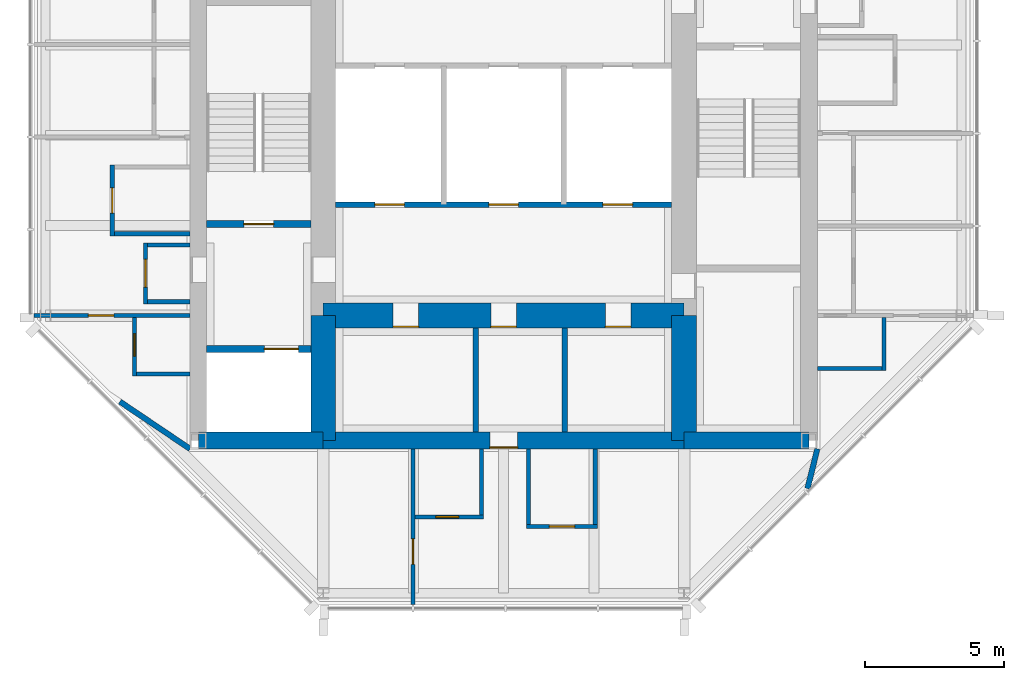
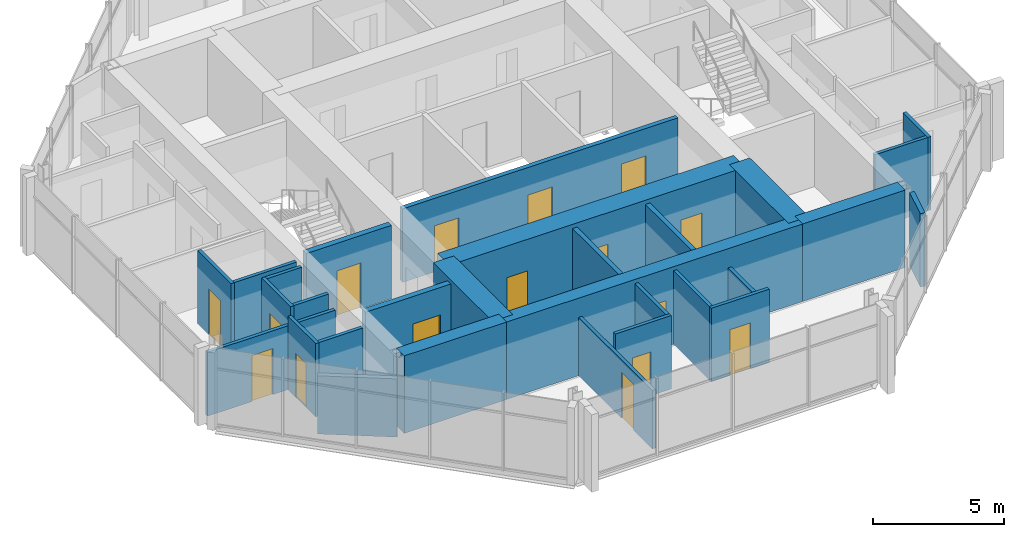
# One storey, part 5 of 9: 29 walls, 16 doors, 16 openings.
"""IFC4 building model written with IfcOpenShell, lengths in metres."""

from ifc_helpers import new_model, si_unit, direction, frame, frame_2d, origin, place, context, subcontext, project, spatial, rectangle, extrude, material, layer, layer_set, type_object, element, fill, save


model = new_model("IFC4")

# Units and contexts
model_context = context("Model", 3, precision=1e-05, world=origin(), true_north=direction((0.0, 1.0)))
body_context = subcontext(model_context, "Body", "Model", "MODEL_VIEW")
ifc_project = project(units=[si_unit("LENGTHUNIT", "METRE"), si_unit("AREAUNIT", "SQUARE_METRE"), si_unit("VOLUMEUNIT", "CUBIC_METRE"), si_unit("PLANEANGLEUNIT", "RADIAN"), si_unit("MASSUNIT", "GRAM", prefix="KILO")], contexts=[model_context])

# Site, building, storey
site_placement = place(None, origin())
site = spatial("IfcSite", under=ifc_project, at=site_placement, CompositionType="ELEMENT")
building_placement = place(site_placement, origin())
building = spatial("IfcBuilding", under=site, at=building_placement, Name="Trevanion Tower", CompositionType="ELEMENT")
storey_placement = place(building_placement, frame((0.0, 0.0, 288.39990234375)))
storey = spatial("IfcBuildingStorey", under=building, at=storey_placement, Name="L71", CompositionType="ELEMENT", Elevation=288.39990234375)

# Wall
ifc_material_1 = material(Name="Concrete 10,000 psi", Category="concrete")
ifc_layer_1 = layer(ifc_material_1, 0.60009765625)
ifc_layer_set_1 = layer_set([ifc_layer_1], Name="CW1 core wall 600")
wall_type_1 = type_object("IfcWallType", Name="CW1 core wall 600", PredefinedType="SHEAR", material=ifc_layer_set_1)
wall_1_placement = place(storey_placement, frame((-11.0, -11.0, 0.0), z_axis=(0.0, 0.0, 1.0), x_axis=(1.0, 0.0, 0.0)))
element("IfcWall", 1, at=wall_1_placement, inside=storey, type_object=wall_type_1, Name="CW1 CS1 L71", PredefinedType="SHEAR", context=body_context, shape_type="SweptSolid", body=[
    extrude(rectangle(XDim=4.5, YDim=0.60009765625, at=frame_2d((2.25, 0.0))), origin(), (0.0, 0.0, 1.0), 3.60009765625),
])

# Wall, opening, door
wall_2_placement = place(storey_placement, frame((-6.5, -11.0, 0.0), z_axis=(0.0, 0.0, 1.0), x_axis=(1.0, 0.0, 0.0)))
wall_2 = element("IfcWall", 2, at=wall_2_placement, inside=storey, type_object=wall_type_1, Name="CW1 CS2 L71", PredefinedType="SHEAR", context=body_context, shape_type="SweptSolid", body=[
    extrude(rectangle(XDim=13.0, YDim=0.60009765625, at=frame_2d((6.5, 0.0))), origin(), (0.0, 0.0, 1.0), 3.60009765625),
])
opening_1_placement = place(wall_2_placement, frame((6.0, 0.0, 0.0)))
opening_1 = element("IfcOpeningElement", 3, at=opening_1_placement, cuts=wall_2, Name="Opening 71-022", PredefinedType="OPENING", context=body_context, shape_type="SweptSolid", body=[
    extrude(rectangle(XDim=1.0, YDim=2.134033203125, at=frame_2d((0.5, 1.06689453125))), frame((0.0, 0.31005859375, 0.0), z_axis=(0.0, -1.0, 0.0), x_axis=(1.0, 0.0, 0.0)), (0.0, 0.0, 1.0), 0.6201171875),
])
ifc_material_2 = material(Name="Timber veneer on steel frame, fire rated", Category="steel")
door_type_1 = type_object("IfcDoorType", Name="D13 residence entrance door", OperationType="SINGLE_SWING_RIGHT", PredefinedType="DOOR", material=ifc_material_2)
door_1_placement = place(opening_1_placement, origin())
door_1 = element("IfcDoor", 4, at=door_1_placement, inside=storey, type_object=door_type_1, Name="Door 71-022", OperationType="SINGLE_SWING_RIGHT", OverallHeight=2.134033203125, OverallWidth=1.0, PredefinedType="DOOR", context=body_context, shape_type="SweptSolid", body=[
    extrude(rectangle(XDim=1.0, YDim=2.134033203125, at=frame_2d((0.5, 1.06689453125))), frame((0.0, -0.22509765625, 0.0), z_axis=(0.0, -1.0, 0.0), x_axis=(1.0, 0.0, 0.0)), (0.0, 0.0, 1.0), 0.050048828125),
])
fill(opening_1, door_1)

# Walls
wall_3_placement = place(storey_placement, frame((6.5, -11.0, 0.0), z_axis=(0.0, 0.0, 1.0), x_axis=(1.0, 0.0, 0.0)))
element("IfcWall", 5, at=wall_3_placement, inside=storey, type_object=wall_type_1, Name="CW1 CS3 L71", PredefinedType="SHEAR", context=body_context, shape_type="SweptSolid", body=[
    extrude(rectangle(XDim=4.5, YDim=0.60009765625, at=frame_2d((2.25, 0.0))), origin(), (0.0, 0.0, 1.0), 3.60009765625),
])
ifc_material_3 = material(Name="Concrete 10,000 psi", Category="concrete")
ifc_layer_2 = layer(ifc_material_3, 0.89990234375)
ifc_layer_set_2 = layer_set([ifc_layer_2], Name="CW2 core wall 900")
wall_type_2 = type_object("IfcWallType", Name="CW2 core wall 900", PredefinedType="SHEAR", material=ifc_layer_set_2)
for number, where, z_axis, x_axis, name in (
    (6, (6.5, -11.0, 0.0), (0.0, 0.0, 1.0), (0.0, 1.0, 0.0), "CW2 RE1 L71"),
    (7, (-6.5, -6.5, 0.0), (0.0, 0.0, 1.0), (0.0, -1.0, 0.0), "CW2 RW3 L71"),
):
    element("IfcWall", number, at=place(storey_placement, frame(where, z_axis=z_axis, x_axis=x_axis)), inside=storey, type_object=wall_type_2, Name=name, PredefinedType="SHEAR", context=body_context, shape_type="SweptSolid", body=[
        extrude(rectangle(XDim=4.5, YDim=0.89990234375, at=frame_2d((2.25, 0.0))), origin(), (0.0, 0.0, 1.0), 3.60009765625),
    ])

# Wall, openings, doors
wall_4_placement = place(storey_placement, frame((-6.5, -6.5, 0.0), z_axis=(0.0, 0.0, 1.0), x_axis=(1.0, 0.0, 0.0)))
wall_4 = element("IfcWall", 8, at=wall_4_placement, inside=storey, type_object=wall_type_2, Name="CW2 RS L71", PredefinedType="SHEAR", context=body_context, shape_type="SweptSolid", body=[
    extrude(rectangle(XDim=13.0, YDim=0.89990234375, at=frame_2d((6.5, 0.0))), origin(), (0.0, 0.0, 1.0), 3.60009765625),
])
opening_2_placement = place(wall_4_placement, frame((6.04248046875, 0.0, 0.0)))
opening_2 = element("IfcOpeningElement", 9, at=opening_2_placement, cuts=wall_4, Name="Opening 71-021", PredefinedType="OPENING", context=body_context, shape_type="SweptSolid", body=[
    extrude(rectangle(XDim=0.9150390625, YDim=2.134033203125, at=frame_2d((0.45751953125, 1.06689453125))), frame((0.0, 0.4599609375, 0.0), z_axis=(0.0, -1.0, 0.0), x_axis=(1.0, 0.0, 0.0)), (0.0, 0.0, 1.0), 0.919921875),
])
opening_3_placement = place(wall_4_placement, frame((2.517578125, 0.0, 0.0)))
opening_3 = element("IfcOpeningElement", 10, at=opening_3_placement, cuts=wall_4, Name="Opening 71-023", PredefinedType="OPENING", context=body_context, shape_type="SweptSolid", body=[
    extrude(rectangle(XDim=0.9150390625, YDim=2.134033203125, at=frame_2d((0.45751953125, 1.06689453125))), frame((0.0, 0.4599609375, 0.0), z_axis=(0.0, -1.0, 0.0), x_axis=(1.0, 0.0, 0.0)), (0.0, 0.0, 1.0), 0.919921875),
])
opening_4_placement = place(wall_4_placement, frame((10.16748046875, 0.0, 0.0)))
opening_4 = element("IfcOpeningElement", 11, at=opening_4_placement, cuts=wall_4, Name="Opening 71-024", PredefinedType="OPENING", context=body_context, shape_type="SweptSolid", body=[
    extrude(rectangle(XDim=0.9150390625, YDim=2.134033203125, at=frame_2d((0.45751953125, 1.06689453125))), frame((0.0, 0.4599609375, 0.0), z_axis=(0.0, -1.0, 0.0), x_axis=(1.0, 0.0, 0.0)), (0.0, 0.0, 1.0), 0.919921875),
])
ifc_material_4 = material(Name="Hollow metal, fire rated", Category="steel")
door_type_2 = type_object("IfcDoorType", Name="D3 fire lift lobby door", OperationType="SINGLE_SWING_RIGHT", PredefinedType="DOOR", material=ifc_material_4)
door_2_placement = place(opening_2_placement, origin())
door_2 = element("IfcDoor", 12, at=door_2_placement, inside=storey, type_object=door_type_2, Name="Door 71-021", OperationType="SINGLE_SWING_RIGHT", OverallHeight=2.134033203125, OverallWidth=0.9150390625, PredefinedType="DOOR", context=body_context, shape_type="SweptSolid", body=[
    extrude(rectangle(XDim=0.9150390625, YDim=2.134033203125, at=frame_2d((0.45751953125, 1.06689453125))), frame((0.0, -0.375, 0.0), z_axis=(0.0, -1.0, 0.0), x_axis=(1.0, 0.0, 0.0)), (0.0, 0.0, 1.0), 0.050048828125),
])
fill(opening_2, door_2)
ifc_material_5 = material(Name="Hollow metal, fire rated", Category="steel")
door_type_3 = type_object("IfcDoorType", Name="D5 service room door", OperationType="SINGLE_SWING_RIGHT", PredefinedType="DOOR", material=ifc_material_5)
door_3_placement = place(opening_3_placement, origin())
door_3 = element("IfcDoor", 13, at=door_3_placement, inside=storey, type_object=door_type_3, Name="Door 71-023", OperationType="SINGLE_SWING_RIGHT", OverallHeight=2.134033203125, OverallWidth=0.9150390625, PredefinedType="DOOR", context=body_context, shape_type="SweptSolid", body=[
    extrude(rectangle(XDim=0.9150390625, YDim=2.134033203125, at=frame_2d((0.45751953125, 1.06689453125))), frame((0.0, -0.375, 0.0), z_axis=(0.0, -1.0, 0.0), x_axis=(1.0, 0.0, 0.0)), (0.0, 0.0, 1.0), 0.050048828125),
])
fill(opening_3, door_3)
door_4_placement = place(opening_4_placement, origin())
door_4 = element("IfcDoor", 14, at=door_4_placement, inside=storey, type_object=door_type_3, Name="Door 71-024", OperationType="SINGLE_SWING_RIGHT", OverallHeight=2.134033203125, OverallWidth=0.9150390625, PredefinedType="DOOR", context=body_context, shape_type="SweptSolid", body=[
    extrude(rectangle(XDim=0.9150390625, YDim=2.134033203125, at=frame_2d((0.45751953125, 1.06689453125))), frame((0.0, -0.375, 0.0), z_axis=(0.0, -1.0, 0.0), x_axis=(1.0, 0.0, 0.0)), (0.0, 0.0, 1.0), 0.050048828125),
])
fill(opening_4, door_4)

# Walls
ifc_material_6 = material(Name="Gypsum board on steel studs", Category="steel")
ifc_layer_3 = layer(ifc_material_6, 0.14990234375)
ifc_layer_set_3 = layer_set([ifc_layer_3], Name="PT1 partition 150")
wall_type_3 = type_object("IfcWallType", Name="PT1 partition 150", PredefinedType="PARTITIONING", material=ifc_layer_set_3)
wall_5_placement = place(storey_placement, frame((13.699951171875, -6.574951171875, 0.0), z_axis=(0.0, 0.0, 1.0), x_axis=(0.0, -1.0, 0.0)))
element("IfcWall", 15, at=wall_5_placement, inside=storey, type_object=wall_type_3, Name="PT1 L71 RETF", PredefinedType="PARTITIONING", context=body_context, shape_type="SweptSolid", body=[
    extrude(rectangle(XDim=1.900146484375, YDim=0.14990234375, at=frame_2d((0.9501953125, 0.0))), origin(), (0.0, 0.0, 1.0), 3.41015625),
])
wall_6_placement = place(storey_placement, frame((11.300048828125, -8.39990234375, 0.0), z_axis=(0.0, 0.0, 1.0), x_axis=(1.0, 0.0, 0.0)))
element("IfcWall", 16, at=wall_6_placement, inside=storey, type_object=wall_type_3, Name="PT1 L71 RETA", PredefinedType="PARTITIONING", context=body_context, shape_type="SweptSolid", body=[
    extrude(rectangle(XDim=2.324951171875, YDim=0.14990234375, at=frame_2d((1.16259765625, 0.0))), origin(), (0.0, 0.0, 1.0), 3.41015625),
])

# Wall, opening, door
wall_7_placement = place(storey_placement, frame((-11.300048828125, -6.5, 0.0), z_axis=(0.0, 0.0, 1.0), x_axis=(-1.0, 0.0, 0.0)))
wall_7 = element("IfcWall", 17, at=wall_7_placement, inside=storey, type_object=wall_type_3, Name="PT1 L71 RWC3", PredefinedType="PARTITIONING", context=body_context, shape_type="SweptSolid", body=[
    extrude(rectangle(XDim=5.614990234375, YDim=0.14990234375, at=frame_2d((2.8076171875, 0.0))), origin(), (0.0, 0.0, 1.0), 2.965576171875),
])
opening_5_placement = place(wall_7_placement, frame((2.742431640625, 0.0, 0.0)))
opening_5 = element("IfcOpeningElement", 18, at=opening_5_placement, cuts=wall_7, Name="Opening 71-044", PredefinedType="OPENING", context=body_context, shape_type="SweptSolid", body=[
    extrude(rectangle(XDim=0.9150390625, YDim=2.134033203125, at=frame_2d((0.45751953125, 1.06689453125))), frame((0.0, 0.0849609375, 0.0), z_axis=(0.0, -1.0, 0.0), x_axis=(1.0, 0.0, 0.0)), (0.0, 0.0, 1.0), 0.169921875),
])
ifc_material_7 = material(Name="Timber veneer, solid core", Category="wood")
door_type_4 = type_object("IfcDoorType", Name="D1 office and meeting room door", OperationType="SINGLE_SWING_LEFT", PredefinedType="DOOR", material=ifc_material_7)
door_5_placement = place(opening_5_placement, origin())
door_5 = element("IfcDoor", 19, at=door_5_placement, inside=storey, type_object=door_type_4, Name="Door 71-044", OperationType="SINGLE_SWING_LEFT", OverallHeight=2.134033203125, OverallWidth=0.9150390625, PredefinedType="DOOR", context=body_context, shape_type="SweptSolid", body=[
    extrude(rectangle(XDim=0.9150390625, YDim=2.134033203125, at=frame_2d((0.45751953125, 1.06689453125))), frame((0.0, 0.02490234375, 0.0), z_axis=(0.0, -1.0, 0.0), x_axis=(1.0, 0.0, 0.0)), (0.0, 0.0, 1.0), 0.050048828125),
])
fill(opening_5, door_5)

# Walls
for number, where, z_axis, x_axis, name in (
    (20, (-11.300048828125, -3.949951171875, 0.0), (0.0, 0.0, 1.0), (-1.0, 0.0, 0.0), "PT1 L71 RWEA"),
    (21, (-11.300048828125, -6.0, 0.0), (0.0, 0.0, 1.0), (-1.0, 0.0, 0.0), "PT1 L71 RWEB"),
):
    element("IfcWall", number, at=place(storey_placement, frame(where, z_axis=z_axis, x_axis=x_axis)), inside=storey, type_object=wall_type_3, Name=name, PredefinedType="PARTITIONING", context=body_context, shape_type="SweptSolid", body=[
        extrude(rectangle(XDim=1.52490234375, YDim=0.14990234375, at=frame_2d((0.762451171875, 0.0))), origin(), (0.0, 0.0, 1.0), 3.41015625),
    ])

# Wall, opening, door
wall_8_placement = place(storey_placement, frame((-14.10009765625, -1.074951171875, 0.0), z_axis=(0.0, 0.0, 1.0), x_axis=(0.0, -1.0, 0.0)))
wall_8 = element("IfcWall", 22, at=wall_8_placement, inside=storey, type_object=wall_type_3, Name="PT1 L71 RWKF", PredefinedType="PARTITIONING", context=body_context, shape_type="SweptSolid", body=[
    extrude(rectangle(XDim=2.550048828125, YDim=0.14990234375, at=frame_2d((1.27490234375, 0.0))), origin(), (0.0, 0.0, 1.0), 3.41015625),
])
opening_6_placement = place(wall_8_placement, frame((0.8173828125, 0.0, 0.0)))
opening_6 = element("IfcOpeningElement", 23, at=opening_6_placement, cuts=wall_8, Name="Opening 71-037", PredefinedType="OPENING", context=body_context, shape_type="SweptSolid", body=[
    extrude(rectangle(XDim=0.9150390625, YDim=2.134033203125, at=frame_2d((0.45751953125, 1.06689453125))), frame((0.0, 0.0849609375, 0.0), z_axis=(0.0, -1.0, 0.0), x_axis=(1.0, 0.0, 0.0)), (0.0, 0.0, 1.0), 0.169921875),
])
door_6_placement = place(opening_6_placement, origin())
door_6 = element("IfcDoor", 24, at=door_6_placement, inside=storey, type_object=door_type_4, Name="Door 71-037", OperationType="SINGLE_SWING_LEFT", OverallHeight=2.134033203125, OverallWidth=0.9150390625, PredefinedType="DOOR", context=body_context, shape_type="SweptSolid", body=[
    extrude(rectangle(XDim=0.9150390625, YDim=2.134033203125, at=frame_2d((0.45751953125, 1.06689453125))), frame((0.0, 0.02490234375, 0.0), z_axis=(0.0, -1.0, 0.0), x_axis=(1.0, 0.0, 0.0)), (0.0, 0.0, 1.0), 0.050048828125),
])
fill(opening_6, door_6)

# Wall
wall_9_placement = place(storey_placement, frame((-11.300048828125, -3.550048828125, 0.0), z_axis=(0.0, 0.0, 1.0), x_axis=(-1.0, 0.0, 0.0)))
element("IfcWall", 25, at=wall_9_placement, inside=storey, type_object=wall_type_3, Name="PT1 L71 RWKB", PredefinedType="PARTITIONING", context=body_context, shape_type="SweptSolid", body=[
    extrude(rectangle(XDim=2.724853515625, YDim=0.14990234375, at=frame_2d((1.3623046875, 0.0))), origin(), (0.0, 0.0, 1.0), 3.41015625),
])

# Wall, opening, door
wall_10_placement = place(storey_placement, frame((-13.300048828125, -6.574951171875, 0.0), z_axis=(0.0, 0.0, 1.0), x_axis=(0.0, -1.0, 0.0)))
wall_10 = element("IfcWall", 26, at=wall_10_placement, inside=storey, type_object=wall_type_3, Name="PT1 L71 RWWF", PredefinedType="PARTITIONING", context=body_context, shape_type="SweptSolid", body=[
    extrude(rectangle(XDim=2.10009765625, YDim=0.14990234375, at=frame_2d((1.050048828125, 0.0))), origin(), (0.0, 0.0, 1.0), 3.41015625),
])
opening_7_placement = place(wall_10_placement, frame((0.568603515625, 0.0, 0.0)))
opening_7 = element("IfcOpeningElement", 27, at=opening_7_placement, cuts=wall_10, Name="Opening 71-038", PredefinedType="OPENING", context=body_context, shape_type="SweptSolid", body=[
    extrude(rectangle(XDim=0.81298828125, YDim=2.031982421875, at=frame_2d((0.406494140625, 1.01611328125))), frame((0.0, 0.0849609375, 0.0), z_axis=(0.0, -1.0, 0.0), x_axis=(1.0, 0.0, 0.0)), (0.0, 0.0, 1.0), 0.169921875),
])
ifc_material_8 = material(Name="Timber veneer", Category="wood")
door_type_5 = type_object("IfcDoorType", Name="D14 residence bathroom door", OperationType="SINGLE_SWING_LEFT", PredefinedType="DOOR", material=ifc_material_8)
door_7_placement = place(opening_7_placement, origin())
door_7 = element("IfcDoor", 28, at=door_7_placement, inside=storey, type_object=door_type_5, Name="Door 71-038", OperationType="SINGLE_SWING_LEFT", OverallHeight=2.031982421875, OverallWidth=0.81298828125, PredefinedType="DOOR", context=body_context, shape_type="SweptSolid", body=[
    extrude(rectangle(XDim=0.81298828125, YDim=2.031982421875, at=frame_2d((0.406494140625, 1.01611328125))), frame((0.0, 0.02490234375, 0.0), z_axis=(0.0, -1.0, 0.0), x_axis=(1.0, 0.0, 0.0)), (0.0, 0.0, 1.0), 0.050048828125),
])
fill(opening_7, door_7)

# Wall
wall_11_placement = place(storey_placement, frame((-11.300048828125, -8.60009765625, 0.0), z_axis=(0.0, 0.0, 1.0), x_axis=(-1.0, 0.0, 0.0)))
element("IfcWall", 29, at=wall_11_placement, inside=storey, type_object=wall_type_3, Name="PT1 L71 RWWB", PredefinedType="PARTITIONING", context=body_context, shape_type="SweptSolid", body=[
    extrude(rectangle(XDim=1.925048828125, YDim=0.14990234375, at=frame_2d((0.96240234375, 0.0))), origin(), (0.0, 0.0, 1.0), 3.41015625),
])

# Wall, opening, door
wall_12_placement = place(storey_placement, frame((-3.26611328125, -11.300048828125, 0.0), z_axis=(0.0, 0.0, 1.0), x_axis=(0.0, -1.0, 0.0)))
wall_12 = element("IfcWall", 30, at=wall_12_placement, inside=storey, type_object=wall_type_3, Name="PT1 L71 RSC0", PredefinedType="PARTITIONING", context=body_context, shape_type="SweptSolid", body=[
    extrude(rectangle(XDim=5.614990234375, YDim=0.14990234375, at=frame_2d((2.8076171875, 0.0))), origin(), (0.0, 0.0, 1.0), 2.708984375),
])
opening_8_placement = place(wall_12_placement, frame((3.242431640625, 0.0, 0.0)))
opening_8 = element("IfcOpeningElement", 31, at=opening_8_placement, cuts=wall_12, Name="Opening 71-047", PredefinedType="OPENING", context=body_context, shape_type="SweptSolid", body=[
    extrude(rectangle(XDim=0.9150390625, YDim=2.134033203125, at=frame_2d((0.45751953125, 1.06689453125))), frame((0.0, 0.0849609375, 0.0), z_axis=(0.0, -1.0, 0.0), x_axis=(1.0, 0.0, 0.0)), (0.0, 0.0, 1.0), 0.169921875),
])
door_8_placement = place(opening_8_placement, origin())
door_8 = element("IfcDoor", 32, at=door_8_placement, inside=storey, type_object=door_type_4, Name="Door 71-047", OperationType="SINGLE_SWING_LEFT", OverallHeight=2.134033203125, OverallWidth=0.9150390625, PredefinedType="DOOR", context=body_context, shape_type="SweptSolid", body=[
    extrude(rectangle(XDim=0.9150390625, YDim=2.134033203125, at=frame_2d((0.45751953125, 1.06689453125))), frame((0.0, 0.02490234375, 0.0), z_axis=(0.0, -1.0, 0.0), x_axis=(1.0, 0.0, 0.0)), (0.0, 0.0, 1.0), 0.050048828125),
])
fill(opening_8, door_8)

wall_13_placement = place(storey_placement, frame((0.824951171875, -14.10009765625, 0.0), z_axis=(0.0, 0.0, 1.0), x_axis=(1.0, 0.0, 0.0)))
wall_13 = element("IfcWall", 33, at=wall_13_placement, inside=storey, type_object=wall_type_3, Name="PT1 L71 RSKF", PredefinedType="PARTITIONING", context=body_context, shape_type="SweptSolid", body=[
    extrude(rectangle(XDim=2.550048828125, YDim=0.14990234375, at=frame_2d((1.27490234375, 0.0))), origin(), (0.0, 0.0, 1.0), 3.41015625),
])
opening_9_placement = place(wall_13_placement, frame((0.8173828125, 0.0, 0.0)))
opening_9 = element("IfcOpeningElement", 34, at=opening_9_placement, cuts=wall_13, Name="Opening 71-045", PredefinedType="OPENING", context=body_context, shape_type="SweptSolid", body=[
    extrude(rectangle(XDim=0.9150390625, YDim=2.134033203125, at=frame_2d((0.45751953125, 1.06689453125))), frame((0.0, 0.0849609375, 0.0), z_axis=(0.0, -1.0, 0.0), x_axis=(1.0, 0.0, 0.0)), (0.0, 0.0, 1.0), 0.169921875),
])
door_9_placement = place(opening_9_placement, origin())
door_9 = element("IfcDoor", 35, at=door_9_placement, inside=storey, type_object=door_type_4, Name="Door 71-045", OperationType="SINGLE_SWING_LEFT", OverallHeight=2.134033203125, OverallWidth=0.9150390625, PredefinedType="DOOR", context=body_context, shape_type="SweptSolid", body=[
    extrude(rectangle(XDim=0.9150390625, YDim=2.134033203125, at=frame_2d((0.45751953125, 1.06689453125))), frame((0.0, 0.02490234375, 0.0), z_axis=(0.0, -1.0, 0.0), x_axis=(1.0, 0.0, 0.0)), (0.0, 0.0, 1.0), 0.050048828125),
])
fill(opening_9, door_9)

# Walls
wall_14_placement = place(storey_placement, frame((0.89990234375, -11.300048828125, 0.0), z_axis=(0.0, 0.0, 1.0), x_axis=(0.0, -1.0, 0.0)))
element("IfcWall", 36, at=wall_14_placement, inside=storey, type_object=wall_type_3, Name="PT1 L71 RSKA", PredefinedType="PARTITIONING", context=body_context, shape_type="SweptSolid", body=[
    extrude(rectangle(XDim=2.724853515625, YDim=0.14990234375, at=frame_2d((1.3623046875, 0.0))), origin(), (0.0, 0.0, 1.0), 3.41015625),
])
wall_15_placement = place(storey_placement, frame((3.300048828125, -11.300048828125, 0.0), z_axis=(0.0, 0.0, 1.0), x_axis=(0.0, -1.0, 0.0)))
element("IfcWall", 37, at=wall_15_placement, inside=storey, type_object=wall_type_3, Name="PT1 L71 RSKB", PredefinedType="PARTITIONING", context=body_context, shape_type="SweptSolid", body=[
    extrude(rectangle(XDim=2.724853515625, YDim=0.14990234375, at=frame_2d((1.3623046875, 0.0))), origin(), (0.0, 0.0, 1.0), 2.708984375),
])

# Wall, opening, door
wall_16_placement = place(storey_placement, frame((-3.19091796875, -13.75, 0.0), z_axis=(0.0, 0.0, 1.0), x_axis=(1.0, 0.0, 0.0)))
wall_16 = element("IfcWall", 38, at=wall_16_placement, inside=storey, type_object=wall_type_3, Name="PT1 L71 RSTF", PredefinedType="PARTITIONING", context=body_context, shape_type="SweptSolid", body=[
    extrude(rectangle(XDim=2.4658203125, YDim=0.14990234375, at=frame_2d((1.23291015625, 0.0))), origin(), (0.0, 0.0, 1.0), 3.41015625),
])
opening_10_placement = place(wall_16_placement, frame((0.75146484375, 0.0, 0.0)))
opening_10 = element("IfcOpeningElement", 39, at=opening_10_placement, cuts=wall_16, Name="Opening 71-046", PredefinedType="OPENING", context=body_context, shape_type="SweptSolid", body=[
    extrude(rectangle(XDim=0.81298828125, YDim=2.031982421875, at=frame_2d((0.406494140625, 1.01611328125))), frame((0.0, 0.0849609375, 0.0), z_axis=(0.0, -1.0, 0.0), x_axis=(1.0, 0.0, 0.0)), (0.0, 0.0, 1.0), 0.169921875),
])
door_10_placement = place(opening_10_placement, origin())
door_10 = element("IfcDoor", 40, at=door_10_placement, inside=storey, type_object=door_type_5, Name="Door 71-046", OperationType="SINGLE_SWING_LEFT", OverallHeight=2.031982421875, OverallWidth=0.81298828125, PredefinedType="DOOR", context=body_context, shape_type="SweptSolid", body=[
    extrude(rectangle(XDim=0.81298828125, YDim=2.031982421875, at=frame_2d((0.406494140625, 1.01611328125))), frame((0.0, 0.02490234375, 0.0), z_axis=(0.0, -1.0, 0.0), x_axis=(1.0, 0.0, 0.0)), (0.0, 0.0, 1.0), 0.050048828125),
])
fill(opening_10, door_10)

# Wall
wall_17_placement = place(storey_placement, frame((-0.800048828125, -11.300048828125, 0.0), z_axis=(0.0, 0.0, 1.0), x_axis=(0.0, -1.0, 0.0)))
element("IfcWall", 41, at=wall_17_placement, inside=storey, type_object=wall_type_3, Name="PT1 L71 RSTB", PredefinedType="PARTITIONING", context=body_context, shape_type="SweptSolid", body=[
    extrude(rectangle(XDim=2.375, YDim=0.14990234375, at=frame_2d((1.1875, 0.0))), origin(), (0.0, 0.0, 1.0), 3.41015625),
])

# Wall, opening, door
ifc_material_9 = material(Name="Gypsum board on steel studs", Category="steel")
ifc_layer_4 = layer(ifc_material_9, 0.14990234375)
ifc_layer_set_4 = layer_set([ifc_layer_4], Name="PT1 partition 150 1 HR")
wall_type_4 = type_object("IfcWallType", Name="PT1 partition 150 1 HR", PredefinedType="PARTITIONING", material=ifc_layer_set_4)
wall_18_placement = place(storey_placement, frame((-12.89990234375, -3.875, 0.0), z_axis=(0.0, 0.0, 1.0), x_axis=(0.0, -1.0, 0.0)))
wall_18 = element("IfcWall", 42, at=wall_18_placement, inside=storey, type_object=wall_type_4, Name="PT1 L71 RWEF", PredefinedType="PARTITIONING", context=body_context, shape_type="SweptSolid", body=[
    extrude(rectangle(XDim=2.199951171875, YDim=0.14990234375, at=frame_2d((1.10009765625, 0.0))), origin(), (0.0, 0.0, 1.0), 3.41015625),
])
opening_11_placement = place(wall_18_placement, frame((0.60009765625, 0.0, 0.0)))
opening_11 = element("IfcOpeningElement", 43, at=opening_11_placement, cuts=wall_18, Name="Opening 71-036", PredefinedType="OPENING", context=body_context, shape_type="SweptSolid", body=[
    extrude(rectangle(XDim=1.0, YDim=2.134033203125, at=frame_2d((0.5, 1.06689453125))), frame((0.0, 0.0849609375, 0.0), z_axis=(0.0, -1.0, 0.0), x_axis=(1.0, 0.0, 0.0)), (0.0, 0.0, 1.0), 0.169921875),
])
door_11_placement = place(opening_11_placement, origin())
door_11 = element("IfcDoor", 44, at=door_11_placement, inside=storey, type_object=door_type_1, Name="Door 71-036", OperationType="SINGLE_SWING_RIGHT", OverallHeight=2.134033203125, OverallWidth=1.0, PredefinedType="DOOR", context=body_context, shape_type="SweptSolid", body=[
    extrude(rectangle(XDim=1.0, YDim=2.134033203125, at=frame_2d((0.5, 1.06689453125))), frame((0.0, 0.02490234375, 0.0), z_axis=(0.0, -1.0, 0.0), x_axis=(1.0, 0.0, 0.0)), (0.0, 0.0, 1.0), 0.050048828125),
])
fill(opening_11, door_11)

# Wall, openings, doors
ifc_material_10 = material(Name="Concrete masonry, grouted", Category="masonry")
ifc_layer_5 = layer(ifc_material_10, 0.199951171875)
ifc_layer_set_5 = layer_set([ifc_layer_5], Name="PT2 partition 200 1 HR")
wall_type_5 = type_object("IfcWallType", Name="PT2 partition 200 1 HR", PredefinedType="PARTITIONING", material=ifc_layer_set_5)
wall_19_placement = place(storey_placement, frame((6.050048828125, -2.5, 0.0), z_axis=(0.0, 0.0, 1.0), x_axis=(-1.0, 0.0, 0.0)))
wall_19 = element("IfcWall", 45, at=wall_19_placement, inside=storey, type_object=wall_type_5, Name="PT2 L71 CP2", PredefinedType="PARTITIONING", context=body_context, shape_type="SweptSolid", body=[
    extrude(rectangle(XDim=12.10009765625, YDim=0.199951171875, at=frame_2d((6.050048828125, 0.0))), origin(), (0.0, 0.0, 1.0), 3.41015625),
])
opening_12_placement = place(wall_19_placement, frame((9.624755859375, 0.0, 0.0)))
opening_12 = element("IfcOpeningElement", 46, at=opening_12_placement, cuts=wall_19, Name="Opening 71-012", PredefinedType="OPENING", context=body_context, shape_type="SweptSolid", body=[
    extrude(rectangle(XDim=1.06689453125, YDim=2.134033203125, at=frame_2d((0.533447265625, 1.06689453125))), frame((0.0, 0.10986328125, 0.0), z_axis=(0.0, -1.0, 0.0), x_axis=(1.0, 0.0, 0.0)), (0.0, 0.0, 1.0), 0.219970703125),
])
opening_13_placement = place(wall_19_placement, frame((5.5166015625, 0.0, 0.0)))
opening_13 = element("IfcOpeningElement", 47, at=opening_13_placement, cuts=wall_19, Name="Opening 71-014", PredefinedType="OPENING", context=body_context, shape_type="SweptSolid", body=[
    extrude(rectangle(XDim=1.06689453125, YDim=2.134033203125, at=frame_2d((0.533447265625, 1.06689453125))), frame((0.0, 0.10986328125, 0.0), z_axis=(0.0, -1.0, 0.0), x_axis=(1.0, 0.0, 0.0)), (0.0, 0.0, 1.0), 0.219970703125),
])
opening_14_placement = place(wall_19_placement, frame((1.408203125, 0.0, 0.0)))
opening_14 = element("IfcOpeningElement", 48, at=opening_14_placement, cuts=wall_19, Name="Opening 71-016", PredefinedType="OPENING", context=body_context, shape_type="SweptSolid", body=[
    extrude(rectangle(XDim=1.06689453125, YDim=2.134033203125, at=frame_2d((0.533447265625, 1.06689453125))), frame((0.0, 0.10986328125, 0.0), z_axis=(0.0, -1.0, 0.0), x_axis=(1.0, 0.0, 0.0)), (0.0, 0.0, 1.0), 0.219970703125),
])
ifc_material_11 = material(Name="Stainless steel, fire rated", Category="steel")
door_type_6 = type_object("IfcDoorType", Name="LD1 lift landing door", OperationType="SLIDING_TO_LEFT", PredefinedType="DOOR", material=ifc_material_11)
door_12_placement = place(opening_12_placement, origin())
door_12 = element("IfcDoor", 49, at=door_12_placement, inside=storey, type_object=door_type_6, Name="Door 71-012", OperationType="SLIDING_TO_LEFT", OverallHeight=2.134033203125, OverallWidth=1.06689453125, PredefinedType="DOOR", context=body_context, shape_type="SweptSolid", body=[
    extrude(rectangle(XDim=1.06689453125, YDim=2.134033203125, at=frame_2d((0.533447265625, 1.06689453125))), frame((0.0, 0.02490234375, 0.0), z_axis=(0.0, -1.0, 0.0), x_axis=(1.0, 0.0, 0.0)), (0.0, 0.0, 1.0), 0.050048828125),
])
fill(opening_12, door_12)
door_13_placement = place(opening_13_placement, origin())
door_13 = element("IfcDoor", 50, at=door_13_placement, inside=storey, type_object=door_type_6, Name="Door 71-014", OperationType="SLIDING_TO_LEFT", OverallHeight=2.134033203125, OverallWidth=1.06689453125, PredefinedType="DOOR", context=body_context, shape_type="SweptSolid", body=[
    extrude(rectangle(XDim=1.06689453125, YDim=2.134033203125, at=frame_2d((0.533447265625, 1.06689453125))), frame((0.0, 0.02490234375, 0.0), z_axis=(0.0, -1.0, 0.0), x_axis=(1.0, 0.0, 0.0)), (0.0, 0.0, 1.0), 0.050048828125),
])
fill(opening_13, door_13)
door_14_placement = place(opening_14_placement, origin())
door_14 = element("IfcDoor", 51, at=door_14_placement, inside=storey, type_object=door_type_6, Name="Door 71-016", OperationType="SLIDING_TO_LEFT", OverallHeight=2.134033203125, OverallWidth=1.06689453125, PredefinedType="DOOR", context=body_context, shape_type="SweptSolid", body=[
    extrude(rectangle(XDim=1.06689453125, YDim=2.134033203125, at=frame_2d((0.533447265625, 1.06689453125))), frame((0.0, 0.02490234375, 0.0), z_axis=(0.0, -1.0, 0.0), x_axis=(1.0, 0.0, 0.0)), (0.0, 0.0, 1.0), 0.050048828125),
])
fill(opening_14, door_14)

# Walls
for number, where, z_axis, x_axis, name in (
    (52, (-1.0, -6.949951171875, 0.0), (0.0, 0.0, 1.0), (0.0, -1.0, 0.0), "PT2 L71 CSP1"),
    (53, (2.199951171875, -6.949951171875, 0.0), (0.0, 0.0, 1.0), (0.0, -1.0, 0.0), "PT2 L71 CSP2"),
):
    element("IfcWall", number, at=place(storey_placement, frame(where, z_axis=z_axis, x_axis=x_axis)), inside=storey, type_object=wall_type_5, Name=name, PredefinedType="PARTITIONING", context=body_context, shape_type="SweptSolid", body=[
        extrude(rectangle(XDim=3.75, YDim=0.199951171875, at=frame_2d((1.875, 0.0))), origin(), (0.0, 0.0, 1.0), 3.41015625),
    ])
wall_20_placement = place(storey_placement, frame((-11.300048828125, -11.300048828125, 0.0), z_axis=(0.0, 0.0, 1.0), x_axis=(-0.829279340477, 0.558834300538, 0.0)))
element("IfcWall", 54, at=wall_20_placement, inside=storey, type_object=wall_type_5, Name="PT2 L71 UB2", PredefinedType="PARTITIONING", context=body_context, shape_type="SweptSolid", body=[
    extrude(rectangle(XDim=3.047607421875, YDim=0.199951171875, at=frame_2d((1.52392578125, 0.0))), origin(), (0.0, 0.0, 1.0), 2.703857421875),
])
wall_21_placement = place(storey_placement, frame((11.300048828125, -11.300048828125, 0.0), z_axis=(0.0, 0.0, 1.0), x_axis=(-0.24050983258, -0.970646702169, 0.0)))
element("IfcWall", 55, at=wall_21_placement, inside=storey, type_object=wall_type_5, Name="PT2 L71 UB3", PredefinedType="PARTITIONING", context=body_context, shape_type="SweptSolid", body=[
    extrude(rectangle(XDim=1.474853515625, YDim=0.199951171875, at=frame_2d((0.7373046875, 0.0))), origin(), (0.0, 0.0, 1.0), 3.41015625),
])

# Wall, opening, door
ifc_material_12 = material(Name="Concrete masonry, grouted, two-hour", Category="masonry")
ifc_layer_6 = layer(ifc_material_12, 0.25)
ifc_layer_set_6 = layer_set([ifc_layer_6], Name="PT3 partition 250 2 HR")
wall_type_6 = type_object("IfcWallType", Name="PT3 partition 250 2 HR", PredefinedType="PARTITIONING", material=ifc_layer_set_6)
wall_22_placement = place(storey_placement, frame((-6.949951171875, -7.699951171875, 0.0), z_axis=(0.0, 0.0, 1.0), x_axis=(-1.0, 0.0, 0.0)))
wall_22 = element("IfcWall", 56, at=wall_22_placement, inside=storey, type_object=wall_type_6, Name="PT3 L71 WP3", PredefinedType="PARTITIONING", context=body_context, shape_type="SweptSolid", body=[
    extrude(rectangle(XDim=3.75, YDim=0.25, at=frame_2d((1.875, 0.0))), origin(), (0.0, 0.0, 1.0), 3.41015625),
])
opening_15_placement = place(wall_22_placement, frame((0.449951171875, 0.0, 0.0)))
opening_15 = element("IfcOpeningElement", 57, at=opening_15_placement, cuts=wall_22, Name="Opening 71-008", PredefinedType="OPENING", context=body_context, shape_type="SweptSolid", body=[
    extrude(rectangle(XDim=1.218994140625, YDim=2.134033203125, at=frame_2d((0.609375, 1.06689453125))), frame((0.0, 0.135009765625, 0.0), z_axis=(0.0, -1.0, 0.0), x_axis=(1.0, 0.0, 0.0)), (0.0, 0.0, 1.0), 0.27001953125),
])
ifc_material_13 = material(Name="Stainless steel, fire rated", Category="steel")
door_type_7 = type_object("IfcDoorType", Name="LD2 fire service lift landing door", OperationType="SLIDING_TO_LEFT", PredefinedType="DOOR", material=ifc_material_13)
door_15_placement = place(opening_15_placement, origin())
door_15 = element("IfcDoor", 58, at=door_15_placement, inside=storey, type_object=door_type_7, Name="Door 71-008", OperationType="SLIDING_TO_LEFT", OverallHeight=2.134033203125, OverallWidth=1.218994140625, PredefinedType="DOOR", context=body_context, shape_type="SweptSolid", body=[
    extrude(rectangle(XDim=1.218994140625, YDim=2.134033203125, at=frame_2d((0.609375, 1.06689453125))), frame((0.0, 0.02490234375, 0.0), z_axis=(0.0, -1.0, 0.0), x_axis=(1.0, 0.0, 0.0)), (0.0, 0.0, 1.0), 0.050048828125),
])
fill(opening_15, door_15)

ifc_material_14 = material(Name="Reinforced masonry, fully grouted", Category="masonry")
ifc_layer_7 = layer(ifc_material_14, 0.25)
ifc_layer_set_7 = layer_set([ifc_layer_7], Name="SW1 stair shaft wall 250")
wall_type_7 = type_object("IfcWallType", Name="SW1 stair shaft wall 250", PredefinedType="SOLIDWALL", material=ifc_layer_set_7)
wall_23_placement = place(storey_placement, frame((-6.949951171875, -3.199951171875, 0.0), z_axis=(0.0, 0.0, 1.0), x_axis=(-1.0, 0.0, 0.0)))
wall_23 = element("IfcWall", 59, at=wall_23_placement, inside=storey, type_object=wall_type_7, Name="SW1 L71 WP2", PredefinedType="SOLIDWALL", context=body_context, shape_type="SweptSolid", body=[
    extrude(rectangle(XDim=3.75, YDim=0.25, at=frame_2d((1.875, 0.0))), origin(), (0.0, 0.0, 1.0), 3.41015625),
])
opening_16_placement = place(wall_23_placement, frame((1.341552734375, 0.0, 0.0)))
opening_16 = element("IfcOpeningElement", 60, at=opening_16_placement, cuts=wall_23, Name="Opening 71-006", PredefinedType="OPENING", context=body_context, shape_type="SweptSolid", body=[
    extrude(rectangle(XDim=1.06689453125, YDim=2.134033203125, at=frame_2d((0.533447265625, 1.06689453125))), frame((0.0, 0.135009765625, 0.0), z_axis=(0.0, -1.0, 0.0), x_axis=(1.0, 0.0, 0.0)), (0.0, 0.0, 1.0), 0.27001953125),
])
ifc_material_15 = material(Name="Hollow metal, fire rated", Category="steel")
door_type_8 = type_object("IfcDoorType", Name="D2 exit stair door", OperationType="SINGLE_SWING_LEFT", PredefinedType="DOOR", material=ifc_material_15)
door_16_placement = place(opening_16_placement, origin())
door_16 = element("IfcDoor", 61, at=door_16_placement, inside=storey, type_object=door_type_8, Name="Door 71-006", OperationType="SINGLE_SWING_LEFT", OverallHeight=2.134033203125, OverallWidth=1.06689453125, PredefinedType="DOOR", context=body_context, shape_type="SweptSolid", body=[
    extrude(rectangle(XDim=1.06689453125, YDim=2.134033203125, at=frame_2d((0.533447265625, 1.06689453125))), frame((0.0, 0.02490234375, 0.0), z_axis=(0.0, -1.0, 0.0), x_axis=(1.0, 0.0, 0.0)), (0.0, 0.0, 1.0), 0.050048828125),
])
fill(opening_16, door_16)

save(model, "model.ifc")
